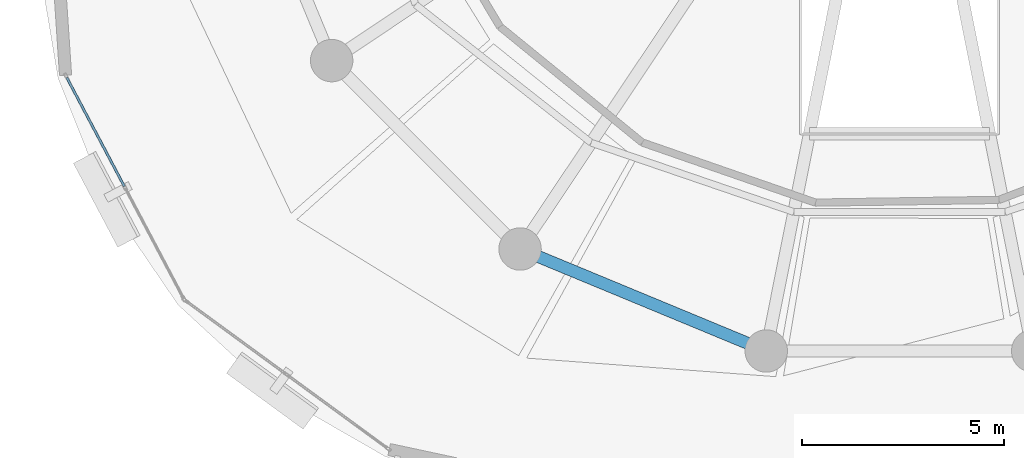
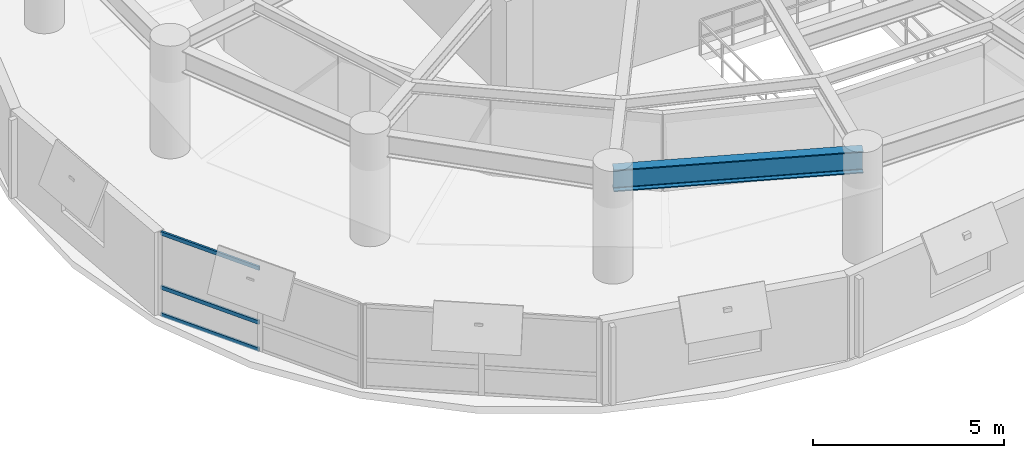
# One storey, part 3 of 12: 3 members, 1 beam, 1 element without a shape of its own.
"""IFC4 building model written with IfcOpenShell, lengths in metres."""

from ifc_helpers import new_model, si_unit, direction, frame, origin, origin_2d, place, context, subcontext, project, spatial, hollow_rectangle, i_section, extrude, material, layer, layer_set, material_profile, profile_set, type_object, element, aggregate, save


model = new_model("IFC4")

# Units and contexts
model_context = context("Model", 3, precision=1e-05, world=origin(), true_north=direction((0.0, 1.0)))
body_context = subcontext(model_context, "Body", "Model", "MODEL_VIEW")
ifc_project = project(units=[si_unit("LENGTHUNIT", "METRE"), si_unit("AREAUNIT", "SQUARE_METRE"), si_unit("VOLUMEUNIT", "CUBIC_METRE"), si_unit("PLANEANGLEUNIT", "RADIAN"), si_unit("MASSUNIT", "GRAM", prefix="KILO"), si_unit("THERMODYNAMICTEMPERATUREUNIT", "KELVIN"), si_unit("POWERUNIT", "WATT")], contexts=[model_context])

# Site, building, storey
site_placement = place(None, origin())
site = spatial("IfcSite", under=ifc_project, at=site_placement, CompositionType="ELEMENT")
building_placement = place(site_placement, origin())
building = spatial("IfcBuilding", under=site, at=building_placement, Name="Ocrelia Relay Tower", CompositionType="ELEMENT")
storey_placement = place(building_placement, frame((0.0, 0.0, 202.39990234375)))
storey = spatial("IfcBuildingStorey", under=building, at=storey_placement, Name="L49", CompositionType="ELEMENT", Elevation=202.39990234375)

# Beam
ifc_material_1 = material(Name="Steel S355", Category="steel")
ifc_material_profile_1 = material_profile(ifc_material_1, i_section(OverallWidth=0.300048828125, OverallDepth=0.699951171875, WebThickness=0.01708984375, FlangeThickness=0.031982421875, FilletRadius=0.027099609375, at=origin_2d()), Name="HEB 700")
ifc_profile_set_1 = profile_set([ifc_material_profile_1], Name="Steel S355")
beam_type = type_object("IfcBeamType", Name="BM-HEB700", PredefinedType="BEAM", material=ifc_profile_set_1)
beam_placement = place(storey_placement, frame((24.61083984375, 11.9482421875, 3.030029296875), z_axis=(0.923877844151, -0.382687508402, 0.0), x_axis=(0.382687508402, 0.923877844151, 0.0)))
element("IfcBeam", 1, at=beam_placement, inside=storey, type_object=beam_type, Name="L49 Perimeter Spandrel Beam S11", PredefinedType="BEAM", context=body_context, shape_type="SweptSolid", body=[
    extrude(i_section(OverallWidth=0.300048828125, OverallDepth=0.699951171875, WebThickness=0.01708984375, FlangeThickness=0.031982421875, FilletRadius=0.027099609375, at=origin_2d()), origin(), (0.0, 0.0, 1.0), 6.593994140625),
])

# Curtain wall, members
ifc_material_2 = material(Name="Aluminium and solar-control low-E glass", Category="aluminium")
ifc_layer = layer(ifc_material_2, 0.179931640625, Name="Aluminium and solar-control low-E glass")
ifc_layer_set = layer_set([ifc_layer], Name="Aluminium and solar-control low-E glass")
curtain_wall_type = type_object("IfcCurtainWallType", Name="CW-SYS-Z3-CLOU", PredefinedType="NOTDEFINED", material=ifc_layer_set)
curtain_wall_placement = place(storey_placement, origin())
curtain_wall = element("IfcCurtainWall", 2, at=curtain_wall_placement, inside=storey, type_object=curtain_wall_type, Name="L49 Elliptical Tower Curtain Wall Bay 09", PredefinedType="NOTDEFINED")
ifc_material_3 = material(Name="Anodised bronze aluminium", Category="aluminium")
ifc_material_profile_2 = material_profile(ifc_material_3, hollow_rectangle(XDim=0.06005859375, YDim=0.1201171875, WallThickness=0.0048828125, at=origin_2d()), Name="CW-TRN-120x60")
ifc_profile_set_2 = profile_set([ifc_material_profile_2], Name="Anodised bronze aluminium")
member_type = type_object("IfcMemberType", Name="CW-SYS-Z3-CLOU-TRN", PredefinedType="USERDEFINED", material=ifc_profile_set_2)
member_1_placement = place(storey_placement, frame((13.39306640625, 16.19091796875, 0.030029296875), z_axis=(0.467471220287, -0.8840082908, 0.0), x_axis=(0.8840082908, 0.467471220287, 0.0)))
member_1 = element("IfcMember", 3, at=member_1_placement, type_object=member_type, Name="CW-Z3 transom 1.1", ObjectType="TRANSOM", PredefinedType="USERDEFINED", context=body_context, shape_type="SweptSolid", body=[
    extrude(hollow_rectangle(XDim=0.06005859375, YDim=0.1201171875, WallThickness=0.0048828125, at=origin_2d()), origin(), (0.0, 0.0, 1.0), 3.043701171875),
])
member_2_placement = place(storey_placement, frame((13.39306640625, 16.19091796875, 0.900146484375), z_axis=(0.467471220287, -0.8840082908, 0.0), x_axis=(0.8840082908, 0.467471220287, 0.0)))
member_2 = element("IfcMember", 4, at=member_2_placement, type_object=member_type, Name="CW-Z3 transom 1.2", ObjectType="TRANSOM", PredefinedType="USERDEFINED", context=body_context, shape_type="SweptSolid", body=[
    extrude(hollow_rectangle(XDim=0.06005859375, YDim=0.1201171875, WallThickness=0.0048828125, at=origin_2d()), origin(), (0.0, 0.0, 1.0), 3.043701171875),
])
member_3_placement = place(storey_placement, frame((13.39306640625, 16.19091796875, 2.630126953125), z_axis=(0.467471220287, -0.8840082908, 0.0), x_axis=(0.8840082908, 0.467471220287, 0.0)))
member_3 = element("IfcMember", 5, at=member_3_placement, type_object=member_type, Name="CW-Z3 transom 1.3", ObjectType="TRANSOM", PredefinedType="USERDEFINED", context=body_context, shape_type="SweptSolid", body=[
    extrude(hollow_rectangle(XDim=0.06005859375, YDim=0.1201171875, WallThickness=0.0048828125, at=origin_2d()), origin(), (0.0, 0.0, 1.0), 3.043701171875),
])
aggregate(curtain_wall, [member_1, member_2, member_3])

save(model, "model.ifc")
